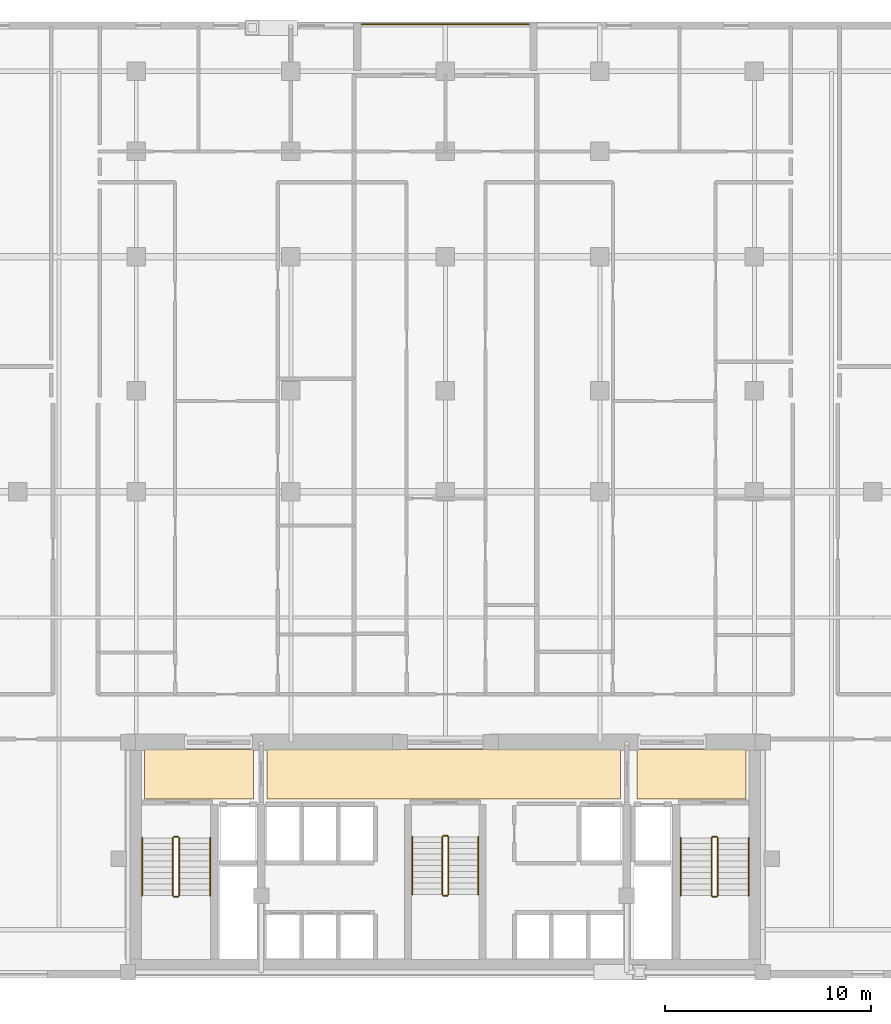
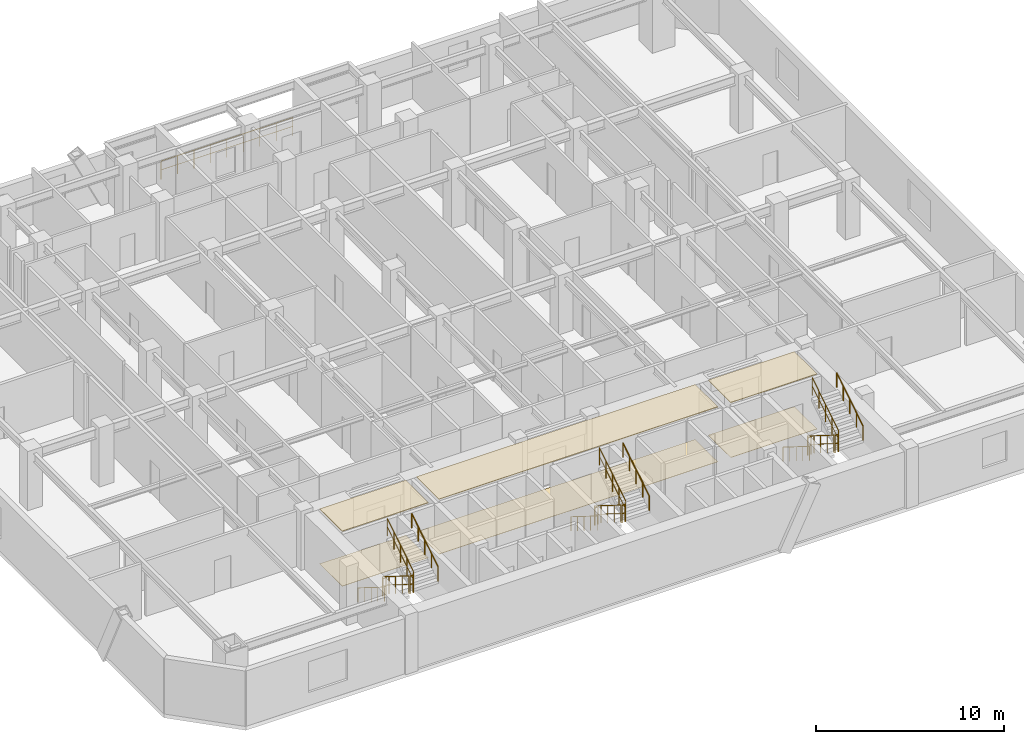
# One storey, part 9 of 9: 19 railings, 6 coverings.
"""IFC4 building model written with IfcOpenShell, lengths in metres."""

from ifc_helpers import new_model, si_unit, direction, frame, origin, origin_2d, place, context, subcontext, project, spatial, polyline, circle, outline, extrude, material, layer, layer_set, type_object, element, save


model = new_model("IFC4")

# Units and contexts
model_context = context("Model", 3, precision=1e-05, world=origin(), true_north=direction((0.0, 1.0)))
body_context = subcontext(model_context, "Body", "Model", "MODEL_VIEW")
ifc_project = project(units=[si_unit("LENGTHUNIT", "METRE"), si_unit("AREAUNIT", "SQUARE_METRE"), si_unit("VOLUMEUNIT", "CUBIC_METRE"), si_unit("PLANEANGLEUNIT", "RADIAN"), si_unit("MASSUNIT", "GRAM", prefix="KILO")], contexts=[model_context])

# Site, building, storey
site_placement = place(None, origin())
site = spatial("IfcSite", under=ifc_project, at=site_placement, CompositionType="ELEMENT")
building_placement = place(site_placement, origin())
building = spatial("IfcBuilding", under=site, at=building_placement, Name="Ventersveld Concourse Tower", CompositionType="ELEMENT")
storey_placement = place(building_placement, frame((0.0, 0.0, 45.199951171875)))
storey = spatial("IfcBuildingStorey", under=building, at=storey_placement, Name="L10", CompositionType="ELEMENT", Elevation=45.199951171875)

# Coverings
ifc_material_1 = material(Name="Mineral-fibre acoustic ceiling tile", Category="gypsum")
ifc_layer_1 = layer(ifc_material_1, 0.0400390625)
ifc_layer_set_1 = layer_set([ifc_layer_1], Name="Mineral-fibre acoustic ceiling tile")
covering_type_1 = type_object("IfcCoveringType", Name="COV-CEIL-ACOUSTIC", PredefinedType="CEILING", material=ifc_layer_set_1)
covering_1_placement = place(storey_placement, frame((0.0, 0.0, 3.56005859375)))
element("IfcCovering", 1, at=covering_1_placement, inside=storey, type_object=covering_type_1, Name="L10 North Lift Lobby Acoustic Ceiling", PredefinedType="CEILING", context=body_context, shape_type="SweptSolid", body=[
    extrude(outline(polyline([(20.10009765625, 8.699951171875), (37.25, 8.699951171875), (37.25, 11.10009765625), (20.10009765625, 11.10009765625), (20.10009765625, 8.699951171875)])), origin(), (0.0, 0.0, 1.0), 0.0400390625),
])
covering_2_placement = place(storey_placement, frame((0.0, 0.0, 3.56005859375)))
element("IfcCovering", 2, at=covering_2_placement, inside=storey, type_object=covering_type_1, Name="L10 West Firefighting Lobby Acoustic Ceiling", PredefinedType="CEILING", context=body_context, shape_type="SweptSolid", body=[
    extrude(outline(polyline([(14.14990234375, 8.699951171875), (19.449951171875, 8.699951171875), (19.449951171875, 11.10009765625), (14.14990234375, 11.10009765625), (14.14990234375, 8.699951171875)])), origin(), (0.0, 0.0, 1.0), 0.0400390625),
])
covering_3_placement = place(storey_placement, frame((0.0, 0.0, 3.56005859375)))
element("IfcCovering", 3, at=covering_3_placement, inside=storey, type_object=covering_type_1, Name="L10 East Firefighting Lobby Acoustic Ceiling", PredefinedType="CEILING", context=body_context, shape_type="SweptSolid", body=[
    extrude(outline(polyline([(38.050048828125, 8.699951171875), (43.35009765625, 8.699951171875), (43.35009765625, 11.10009765625), (38.050048828125, 11.10009765625), (38.050048828125, 8.699951171875)])), origin(), (0.0, 0.0, 1.0), 0.0400390625),
])
ifc_material_2 = material(Name="Polished Highveld granite terrazzo", Category="masonry")
ifc_layer_2 = layer(ifc_material_2, 0.02001953125)
ifc_layer_set_2 = layer_set([ifc_layer_2], Name="Polished Highveld granite terrazzo")
covering_type_2 = type_object("IfcCoveringType", Name="COV-FLOOR-TERRAZZO", PredefinedType="FLOORING", material=ifc_layer_set_2)
covering_4_placement = place(storey_placement, origin())
element("IfcCovering", 4, at=covering_4_placement, inside=storey, type_object=covering_type_2, Name="L10 North Lift Lobby Terrazzo Flooring", PredefinedType="FLOORING", context=body_context, shape_type="SweptSolid", body=[
    extrude(outline(polyline([(20.10009765625, 8.699951171875), (37.25, 8.699951171875), (37.25, 11.10009765625), (20.10009765625, 11.10009765625), (20.10009765625, 8.699951171875)])), origin(), (0.0, 0.0, 1.0), 0.02001953125),
])
covering_5_placement = place(storey_placement, origin())
element("IfcCovering", 5, at=covering_5_placement, inside=storey, type_object=covering_type_2, Name="L10 West Firefighting Lobby Terrazzo Flooring", PredefinedType="FLOORING", context=body_context, shape_type="SweptSolid", body=[
    extrude(outline(polyline([(14.14990234375, 8.699951171875), (19.449951171875, 8.699951171875), (19.449951171875, 11.10009765625), (14.14990234375, 11.10009765625), (14.14990234375, 8.699951171875)])), origin(), (0.0, 0.0, 1.0), 0.02001953125),
])
covering_6_placement = place(storey_placement, origin())
element("IfcCovering", 6, at=covering_6_placement, inside=storey, type_object=covering_type_2, Name="L10 East Firefighting Lobby Terrazzo Flooring", PredefinedType="FLOORING", context=body_context, shape_type="SweptSolid", body=[
    extrude(outline(polyline([(38.050048828125, 8.699951171875), (43.35009765625, 8.699951171875), (43.35009765625, 11.10009765625), (38.050048828125, 11.10009765625), (38.050048828125, 8.699951171875)])), origin(), (0.0, 0.0, 1.0), 0.02001953125),
])

# Railings
ifc_material_3 = material(Name="Brushed stainless steel 316", Category="steel")
railing_type_1 = type_object("IfcRailingType", Name="GD-BAL-115", PredefinedType="GUARDRAIL", material=ifc_material_3)
railing_1_placement = place(storey_placement, frame((15.530029296875, 6.800048828125, 0.175048828125)))
element("IfcRailing", 7, at=railing_1_placement, inside=storey, type_object=railing_type_1, Name="L10 ST-01 stair guard 1", PredefinedType="GUARDRAIL", context=body_context, shape_type="SweptSolid", body=[
    extrude(circle(Radius=0.02392578125, at=origin_2d()), frame((0.0, 0.0, 1.1259765625), z_axis=(0.0, -0.848002457836, 0.529992293815), x_axis=(1.0, 0.0, 0.0)), (0.0, 0.0, 1.0), 3.302001953125),
    extrude(circle(Radius=0.01611328125, at=origin_2d()), frame((0.0, 0.0, 0.574951171875), z_axis=(0.0, -0.848002457836, 0.529992293815), x_axis=(1.0, 0.0, 0.0)), (0.0, 0.0, 1.0), 3.302001953125),
    extrude(circle(Radius=0.02099609375, at=origin_2d()), origin(), (0.0, 0.0, 1.0), 1.101806640625),
    extrude(circle(Radius=0.02099609375, at=origin_2d()), frame((0.0, -0.699951171875, 0.4375)), (0.0, 0.0, 1.0), 1.101806640625),
    extrude(circle(Radius=0.02099609375, at=origin_2d()), frame((0.0, -1.39990234375, 0.875)), (0.0, 0.0, 1.0), 1.101806640625),
    extrude(circle(Radius=0.02099609375, at=origin_2d()), frame((0.0, -2.10009765625, 1.3125)), (0.0, 0.0, 1.0), 1.101806640625),
    extrude(circle(Radius=0.02099609375, at=origin_2d()), frame((0.0, -2.800048828125, 1.75)), (0.0, 0.0, 1.0), 1.101806640625),
])
railing_2_placement = place(storey_placement, frame((15.580078125, 3.949951171875, 1.925048828125)))
element("IfcRailing", 8, at=railing_2_placement, inside=storey, type_object=railing_type_1, Name="L10 ST-01 stair guard 2", PredefinedType="GUARDRAIL", context=body_context, shape_type="SweptSolid", body=[
    extrude(circle(Radius=0.02392578125, at=origin_2d()), frame((0.0, 0.0, 1.1259765625), z_axis=(1.0, 0.0, 0.0), x_axis=(0.0, 1.0, 0.0)), (0.0, 0.0, 1.0), 0.199951171875),
    extrude(circle(Radius=0.01611328125, at=origin_2d()), frame((0.0, 0.0, 0.574951171875), z_axis=(1.0, 0.0, 0.0), x_axis=(0.0, 1.0, 0.0)), (0.0, 0.0, 1.0), 0.199951171875),
    extrude(circle(Radius=0.02099609375, at=origin_2d()), origin(), (0.0, 0.0, 1.0), 1.101806640625),
    extrude(circle(Radius=0.02099609375, at=origin_2d()), frame((0.199951171875, 0.0, 0.0)), (0.0, 0.0, 1.0), 1.101806640625),
])
railing_3_placement = place(storey_placement, frame((15.830078125, 4.0, 2.10009765625)))
element("IfcRailing", 9, at=railing_3_placement, inside=storey, type_object=railing_type_1, Name="L10 ST-01 stair guard 3", PredefinedType="GUARDRAIL", context=body_context, shape_type="SweptSolid", body=[
    extrude(circle(Radius=0.02392578125, at=origin_2d()), frame((0.0, 0.0, 1.1259765625), z_axis=(0.0, 0.848002457836, 0.529992293815), x_axis=(-1.0, 0.0, 0.0)), (0.0, 0.0, 1.0), 3.302001953125),
    extrude(circle(Radius=0.01611328125, at=origin_2d()), frame((0.0, 0.0, 0.574951171875), z_axis=(0.0, 0.848002457836, 0.529992293815), x_axis=(-1.0, 0.0, 0.0)), (0.0, 0.0, 1.0), 3.302001953125),
    extrude(circle(Radius=0.02099609375, at=origin_2d()), origin(), (0.0, 0.0, 1.0), 1.101806640625),
    extrude(circle(Radius=0.02099609375, at=origin_2d()), frame((0.0, 0.699951171875, 0.4375)), (0.0, 0.0, 1.0), 1.101806640625),
    extrude(circle(Radius=0.02099609375, at=origin_2d()), frame((0.0, 1.39990234375, 0.875)), (0.0, 0.0, 1.0), 1.101806640625),
    extrude(circle(Radius=0.02099609375, at=origin_2d()), frame((0.0, 2.10009765625, 1.3125)), (0.0, 0.0, 1.0), 1.101806640625),
    extrude(circle(Radius=0.02099609375, at=origin_2d()), frame((0.0, 2.800048828125, 1.75)), (0.0, 0.0, 1.0), 1.101806640625),
])
railing_4_placement = place(storey_placement, frame((15.580078125, 6.85009765625, 0.0)))
element("IfcRailing", 10, at=railing_4_placement, inside=storey, type_object=railing_type_1, Name="L10 ST-01 stair guard 4", PredefinedType="GUARDRAIL", context=body_context, shape_type="SweptSolid", body=[
    extrude(circle(Radius=0.02392578125, at=origin_2d()), frame((0.0, 0.0, 1.1259765625), z_axis=(1.0, 0.0, 0.0), x_axis=(0.0, 1.0, 0.0)), (0.0, 0.0, 1.0), 0.199951171875),
    extrude(circle(Radius=0.01611328125, at=origin_2d()), frame((0.0, 0.0, 0.574951171875), z_axis=(1.0, 0.0, 0.0), x_axis=(0.0, 1.0, 0.0)), (0.0, 0.0, 1.0), 0.199951171875),
    extrude(circle(Radius=0.02099609375, at=origin_2d()), origin(), (0.0, 0.0, 1.0), 1.101806640625),
    extrude(circle(Radius=0.02099609375, at=origin_2d()), frame((0.199951171875, 0.0, 0.0)), (0.0, 0.0, 1.0), 1.101806640625),
])
railing_5_placement = place(storey_placement, frame((41.669921875, 6.800048828125, 0.175048828125)))
element("IfcRailing", 11, at=railing_5_placement, inside=storey, type_object=railing_type_1, Name="L10 ST-02 stair guard 1", PredefinedType="GUARDRAIL", context=body_context, shape_type="SweptSolid", body=[
    extrude(circle(Radius=0.02392578125, at=origin_2d()), frame((0.0, 0.0, 1.1259765625), z_axis=(0.0, -0.848002457836, 0.529992293815), x_axis=(1.0, 0.0, 0.0)), (0.0, 0.0, 1.0), 3.302001953125),
    extrude(circle(Radius=0.01611328125, at=origin_2d()), frame((0.0, 0.0, 0.574951171875), z_axis=(0.0, -0.848002457836, 0.529992293815), x_axis=(1.0, 0.0, 0.0)), (0.0, 0.0, 1.0), 3.302001953125),
    extrude(circle(Radius=0.02099609375, at=origin_2d()), origin(), (0.0, 0.0, 1.0), 1.101806640625),
    extrude(circle(Radius=0.02099609375, at=origin_2d()), frame((0.0, -0.699951171875, 0.4375)), (0.0, 0.0, 1.0), 1.101806640625),
    extrude(circle(Radius=0.02099609375, at=origin_2d()), frame((0.0, -1.39990234375, 0.875)), (0.0, 0.0, 1.0), 1.101806640625),
    extrude(circle(Radius=0.02099609375, at=origin_2d()), frame((0.0, -2.10009765625, 1.3125)), (0.0, 0.0, 1.0), 1.101806640625),
    extrude(circle(Radius=0.02099609375, at=origin_2d()), frame((0.0, -2.800048828125, 1.75)), (0.0, 0.0, 1.0), 1.101806640625),
])
railing_6_placement = place(storey_placement, frame((41.719970703125, 3.949951171875, 1.925048828125)))
element("IfcRailing", 12, at=railing_6_placement, inside=storey, type_object=railing_type_1, Name="L10 ST-02 stair guard 2", PredefinedType="GUARDRAIL", context=body_context, shape_type="SweptSolid", body=[
    extrude(circle(Radius=0.02392578125, at=origin_2d()), frame((0.0, 0.0, 1.1259765625), z_axis=(1.0, 0.0, 0.0), x_axis=(0.0, 1.0, 0.0)), (0.0, 0.0, 1.0), 0.199951171875),
    extrude(circle(Radius=0.01611328125, at=origin_2d()), frame((0.0, 0.0, 0.574951171875), z_axis=(1.0, 0.0, 0.0), x_axis=(0.0, 1.0, 0.0)), (0.0, 0.0, 1.0), 0.199951171875),
    extrude(circle(Radius=0.02099609375, at=origin_2d()), origin(), (0.0, 0.0, 1.0), 1.101806640625),
    extrude(circle(Radius=0.02099609375, at=origin_2d()), frame((0.199951171875, 0.0, 0.0)), (0.0, 0.0, 1.0), 1.101806640625),
])
railing_7_placement = place(storey_placement, frame((41.969970703125, 4.0, 2.10009765625)))
element("IfcRailing", 13, at=railing_7_placement, inside=storey, type_object=railing_type_1, Name="L10 ST-02 stair guard 3", PredefinedType="GUARDRAIL", context=body_context, shape_type="SweptSolid", body=[
    extrude(circle(Radius=0.02392578125, at=origin_2d()), frame((0.0, 0.0, 1.1259765625), z_axis=(0.0, 0.848002457836, 0.529992293815), x_axis=(-1.0, 0.0, 0.0)), (0.0, 0.0, 1.0), 3.302001953125),
    extrude(circle(Radius=0.01611328125, at=origin_2d()), frame((0.0, 0.0, 0.574951171875), z_axis=(0.0, 0.848002457836, 0.529992293815), x_axis=(-1.0, 0.0, 0.0)), (0.0, 0.0, 1.0), 3.302001953125),
    extrude(circle(Radius=0.02099609375, at=origin_2d()), origin(), (0.0, 0.0, 1.0), 1.101806640625),
    extrude(circle(Radius=0.02099609375, at=origin_2d()), frame((0.0, 0.699951171875, 0.4375)), (0.0, 0.0, 1.0), 1.101806640625),
    extrude(circle(Radius=0.02099609375, at=origin_2d()), frame((0.0, 1.39990234375, 0.875)), (0.0, 0.0, 1.0), 1.101806640625),
    extrude(circle(Radius=0.02099609375, at=origin_2d()), frame((0.0, 2.10009765625, 1.3125)), (0.0, 0.0, 1.0), 1.101806640625),
    extrude(circle(Radius=0.02099609375, at=origin_2d()), frame((0.0, 2.800048828125, 1.75)), (0.0, 0.0, 1.0), 1.101806640625),
])
railing_8_placement = place(storey_placement, frame((41.719970703125, 6.85009765625, 0.0)))
element("IfcRailing", 14, at=railing_8_placement, inside=storey, type_object=railing_type_1, Name="L10 ST-02 stair guard 4", PredefinedType="GUARDRAIL", context=body_context, shape_type="SweptSolid", body=[
    extrude(circle(Radius=0.02392578125, at=origin_2d()), frame((0.0, 0.0, 1.1259765625), z_axis=(1.0, 0.0, 0.0), x_axis=(0.0, 1.0, 0.0)), (0.0, 0.0, 1.0), 0.199951171875),
    extrude(circle(Radius=0.01611328125, at=origin_2d()), frame((0.0, 0.0, 0.574951171875), z_axis=(1.0, 0.0, 0.0), x_axis=(0.0, 1.0, 0.0)), (0.0, 0.0, 1.0), 0.199951171875),
    extrude(circle(Radius=0.02099609375, at=origin_2d()), origin(), (0.0, 0.0, 1.0), 1.101806640625),
    extrude(circle(Radius=0.02099609375, at=origin_2d()), frame((0.199951171875, 0.0, 0.0)), (0.0, 0.0, 1.0), 1.101806640625),
])
railing_9_placement = place(storey_placement, frame((28.60009765625, 6.85009765625, 0.175048828125)))
element("IfcRailing", 15, at=railing_9_placement, inside=storey, type_object=railing_type_1, Name="L10 ST-03 stair guard 1", PredefinedType="GUARDRAIL", context=body_context, shape_type="SweptSolid", body=[
    extrude(circle(Radius=0.02392578125, at=origin_2d()), frame((0.0, 0.0, 1.1259765625), z_axis=(0.0, -0.848002457836, 0.529992293815), x_axis=(1.0, 0.0, 0.0)), (0.0, 0.0, 1.0), 3.302001953125),
    extrude(circle(Radius=0.01611328125, at=origin_2d()), frame((0.0, 0.0, 0.574951171875), z_axis=(0.0, -0.848002457836, 0.529992293815), x_axis=(1.0, 0.0, 0.0)), (0.0, 0.0, 1.0), 3.302001953125),
    extrude(circle(Radius=0.02099609375, at=origin_2d()), origin(), (0.0, 0.0, 1.0), 1.101806640625),
    extrude(circle(Radius=0.02099609375, at=origin_2d()), frame((0.0, -0.699951171875, 0.4375)), (0.0, 0.0, 1.0), 1.101806640625),
    extrude(circle(Radius=0.02099609375, at=origin_2d()), frame((0.0, -1.39990234375, 0.875)), (0.0, 0.0, 1.0), 1.101806640625),
    extrude(circle(Radius=0.02099609375, at=origin_2d()), frame((0.0, -2.10009765625, 1.3125)), (0.0, 0.0, 1.0), 1.101806640625),
    extrude(circle(Radius=0.02099609375, at=origin_2d()), frame((0.0, -2.800048828125, 1.75)), (0.0, 0.0, 1.0), 1.101806640625),
])
railing_10_placement = place(storey_placement, frame((28.64990234375, 4.0, 1.925048828125)))
element("IfcRailing", 16, at=railing_10_placement, inside=storey, type_object=railing_type_1, Name="L10 ST-03 stair guard 2", PredefinedType="GUARDRAIL", context=body_context, shape_type="SweptSolid", body=[
    extrude(circle(Radius=0.02392578125, at=origin_2d()), frame((0.0, 0.0, 1.1259765625), z_axis=(1.0, 0.0, 0.0), x_axis=(0.0, 1.0, 0.0)), (0.0, 0.0, 1.0), 0.2001953125),
    extrude(circle(Radius=0.01611328125, at=origin_2d()), frame((0.0, 0.0, 0.574951171875), z_axis=(1.0, 0.0, 0.0), x_axis=(0.0, 1.0, 0.0)), (0.0, 0.0, 1.0), 0.2001953125),
    extrude(circle(Radius=0.02099609375, at=origin_2d()), origin(), (0.0, 0.0, 1.0), 1.101806640625),
    extrude(circle(Radius=0.02099609375, at=origin_2d()), frame((0.2001953125, 0.0, 0.0)), (0.0, 0.0, 1.0), 1.101806640625),
])
railing_11_placement = place(storey_placement, frame((28.89990234375, 4.050048828125, 2.10009765625)))
element("IfcRailing", 17, at=railing_11_placement, inside=storey, type_object=railing_type_1, Name="L10 ST-03 stair guard 3", PredefinedType="GUARDRAIL", context=body_context, shape_type="SweptSolid", body=[
    extrude(circle(Radius=0.02392578125, at=origin_2d()), frame((0.0, 0.0, 1.1259765625), z_axis=(0.0, 0.848002457836, 0.529992293815), x_axis=(-1.0, 0.0, 0.0)), (0.0, 0.0, 1.0), 3.302001953125),
    extrude(circle(Radius=0.01611328125, at=origin_2d()), frame((0.0, 0.0, 0.574951171875), z_axis=(0.0, 0.848002457836, 0.529992293815), x_axis=(-1.0, 0.0, 0.0)), (0.0, 0.0, 1.0), 3.302001953125),
    extrude(circle(Radius=0.02099609375, at=origin_2d()), origin(), (0.0, 0.0, 1.0), 1.101806640625),
    extrude(circle(Radius=0.02099609375, at=origin_2d()), frame((0.0, 0.699951171875, 0.4375)), (0.0, 0.0, 1.0), 1.101806640625),
    extrude(circle(Radius=0.02099609375, at=origin_2d()), frame((0.0, 1.39990234375, 0.875)), (0.0, 0.0, 1.0), 1.101806640625),
    extrude(circle(Radius=0.02099609375, at=origin_2d()), frame((0.0, 2.10009765625, 1.3125)), (0.0, 0.0, 1.0), 1.101806640625),
    extrude(circle(Radius=0.02099609375, at=origin_2d()), frame((0.0, 2.800048828125, 1.75)), (0.0, 0.0, 1.0), 1.101806640625),
])
railing_12_placement = place(storey_placement, frame((28.64990234375, 6.89990234375, 0.0)))
element("IfcRailing", 18, at=railing_12_placement, inside=storey, type_object=railing_type_1, Name="L10 ST-03 stair guard 4", PredefinedType="GUARDRAIL", context=body_context, shape_type="SweptSolid", body=[
    extrude(circle(Radius=0.02392578125, at=origin_2d()), frame((0.0, 0.0, 1.1259765625), z_axis=(1.0, 0.0, 0.0), x_axis=(0.0, 1.0, 0.0)), (0.0, 0.0, 1.0), 0.2001953125),
    extrude(circle(Radius=0.01611328125, at=origin_2d()), frame((0.0, 0.0, 0.574951171875), z_axis=(1.0, 0.0, 0.0), x_axis=(0.0, 1.0, 0.0)), (0.0, 0.0, 1.0), 0.2001953125),
    extrude(circle(Radius=0.02099609375, at=origin_2d()), origin(), (0.0, 0.0, 1.0), 1.101806640625),
    extrude(circle(Radius=0.02099609375, at=origin_2d()), frame((0.2001953125, 0.0, 0.0)), (0.0, 0.0, 1.0), 1.101806640625),
])
railing_type_2 = type_object("IfcRailingType", Name="GD-TER-120", PredefinedType="GUARDRAIL", material=ifc_material_3)
railing_13_placement = place(storey_placement, frame((24.699951171875, 46.280029296875, 0.0)))
element("IfcRailing", 19, at=railing_13_placement, inside=storey, type_object=railing_type_2, Name="L10 Outdoor Terrace Guardrail NOTCH-N", PredefinedType="GUARDRAIL", context=body_context, shape_type="SweptSolid", body=[
    extrude(circle(Radius=0.02392578125, at=origin_2d()), frame((0.0, 0.0, 1.17578125), z_axis=(1.0, 0.0, 0.0), x_axis=(0.0, 1.0, 0.0)), (0.0, 0.0, 1.0), 8.10009765625),
    extrude(circle(Radius=0.01611328125, at=origin_2d()), frame((0.0, 0.0, 0.60009765625), z_axis=(1.0, 0.0, 0.0), x_axis=(0.0, 1.0, 0.0)), (0.0, 0.0, 1.0), 8.10009765625),
    extrude(circle(Radius=0.02099609375, at=origin_2d()), origin(), (0.0, 0.0, 1.0), 1.15185546875),
    extrude(circle(Radius=0.02099609375, at=origin_2d()), frame((1.012451171875, 0.0, 0.0)), (0.0, 0.0, 1.0), 1.15185546875),
    extrude(circle(Radius=0.02099609375, at=origin_2d()), frame((2.02490234375, 0.0, 0.0)), (0.0, 0.0, 1.0), 1.15185546875),
    extrude(circle(Radius=0.02099609375, at=origin_2d()), frame((3.03759765625, 0.0, 0.0)), (0.0, 0.0, 1.0), 1.15185546875),
    extrude(circle(Radius=0.02099609375, at=origin_2d()), frame((4.050048828125, 0.0, 0.0)), (0.0, 0.0, 1.0), 1.15185546875),
    extrude(circle(Radius=0.02099609375, at=origin_2d()), frame((5.0625, 0.0, 0.0)), (0.0, 0.0, 1.0), 1.15185546875),
    extrude(circle(Radius=0.02099609375, at=origin_2d()), frame((6.0751953125, 0.0, 0.0)), (0.0, 0.0, 1.0), 1.15185546875),
    extrude(circle(Radius=0.02099609375, at=origin_2d()), frame((7.087646484375, 0.0, 0.0)), (0.0, 0.0, 1.0), 1.15185546875),
    extrude(circle(Radius=0.02099609375, at=origin_2d()), frame((8.10009765625, 0.0, 0.0)), (0.0, 0.0, 1.0), 1.15185546875),
])
railing_type_3 = type_object("IfcRailingType", Name="HR-RMP-095", PredefinedType="HANDRAIL", material=ifc_material_3)
railing_14_placement = place(storey_placement, frame((14.030029296875, 6.800048828125, 0.175048828125)))
element("IfcRailing", 20, at=railing_14_placement, inside=storey, type_object=railing_type_3, Name="L10 ST-01 stair handrail 1", PredefinedType="HANDRAIL", context=body_context, shape_type="SweptSolid", body=[
    extrude(circle(Radius=0.02392578125, at=origin_2d()), frame((0.0, 0.0, 0.92578125), z_axis=(0.0, -0.848002457836, 0.529992293815), x_axis=(1.0, 0.0, 0.0)), (0.0, 0.0, 1.0), 3.302001953125),
    extrude(circle(Radius=0.02099609375, at=origin_2d()), origin(), (0.0, 0.0, 1.0), 0.90185546875),
    extrude(circle(Radius=0.02099609375, at=origin_2d()), frame((0.0, -0.699951171875, 0.4375)), (0.0, 0.0, 1.0), 0.90185546875),
    extrude(circle(Radius=0.02099609375, at=origin_2d()), frame((0.0, -1.39990234375, 0.875)), (0.0, 0.0, 1.0), 0.90185546875),
    extrude(circle(Radius=0.02099609375, at=origin_2d()), frame((0.0, -2.10009765625, 1.3125)), (0.0, 0.0, 1.0), 0.90185546875),
    extrude(circle(Radius=0.02099609375, at=origin_2d()), frame((0.0, -2.800048828125, 1.75)), (0.0, 0.0, 1.0), 0.90185546875),
])
railing_15_placement = place(storey_placement, frame((17.330078125, 4.0, 2.10009765625)))
element("IfcRailing", 21, at=railing_15_placement, inside=storey, type_object=railing_type_3, Name="L10 ST-01 stair handrail 2", PredefinedType="HANDRAIL", context=body_context, shape_type="SweptSolid", body=[
    extrude(circle(Radius=0.02392578125, at=origin_2d()), frame((0.0, 0.0, 0.92578125), z_axis=(0.0, 0.848002457836, 0.529992293815), x_axis=(-1.0, 0.0, 0.0)), (0.0, 0.0, 1.0), 3.302001953125),
    extrude(circle(Radius=0.02099609375, at=origin_2d()), origin(), (0.0, 0.0, 1.0), 0.90185546875),
    extrude(circle(Radius=0.02099609375, at=origin_2d()), frame((0.0, 0.699951171875, 0.4375)), (0.0, 0.0, 1.0), 0.90185546875),
    extrude(circle(Radius=0.02099609375, at=origin_2d()), frame((0.0, 1.39990234375, 0.875)), (0.0, 0.0, 1.0), 0.90185546875),
    extrude(circle(Radius=0.02099609375, at=origin_2d()), frame((0.0, 2.10009765625, 1.3125)), (0.0, 0.0, 1.0), 0.90185546875),
    extrude(circle(Radius=0.02099609375, at=origin_2d()), frame((0.0, 2.800048828125, 1.75)), (0.0, 0.0, 1.0), 0.90185546875),
])
railing_16_placement = place(storey_placement, frame((40.169921875, 6.800048828125, 0.175048828125)))
element("IfcRailing", 22, at=railing_16_placement, inside=storey, type_object=railing_type_3, Name="L10 ST-02 stair handrail 1", PredefinedType="HANDRAIL", context=body_context, shape_type="SweptSolid", body=[
    extrude(circle(Radius=0.02392578125, at=origin_2d()), frame((0.0, 0.0, 0.92578125), z_axis=(0.0, -0.848002457836, 0.529992293815), x_axis=(1.0, 0.0, 0.0)), (0.0, 0.0, 1.0), 3.302001953125),
    extrude(circle(Radius=0.02099609375, at=origin_2d()), origin(), (0.0, 0.0, 1.0), 0.90185546875),
    extrude(circle(Radius=0.02099609375, at=origin_2d()), frame((0.0, -0.699951171875, 0.4375)), (0.0, 0.0, 1.0), 0.90185546875),
    extrude(circle(Radius=0.02099609375, at=origin_2d()), frame((0.0, -1.39990234375, 0.875)), (0.0, 0.0, 1.0), 0.90185546875),
    extrude(circle(Radius=0.02099609375, at=origin_2d()), frame((0.0, -2.10009765625, 1.3125)), (0.0, 0.0, 1.0), 0.90185546875),
    extrude(circle(Radius=0.02099609375, at=origin_2d()), frame((0.0, -2.800048828125, 1.75)), (0.0, 0.0, 1.0), 0.90185546875),
])
railing_17_placement = place(storey_placement, frame((43.469970703125, 4.0, 2.10009765625)))
element("IfcRailing", 23, at=railing_17_placement, inside=storey, type_object=railing_type_3, Name="L10 ST-02 stair handrail 2", PredefinedType="HANDRAIL", context=body_context, shape_type="SweptSolid", body=[
    extrude(circle(Radius=0.02392578125, at=origin_2d()), frame((0.0, 0.0, 0.92578125), z_axis=(0.0, 0.848002457836, 0.529992293815), x_axis=(-1.0, 0.0, 0.0)), (0.0, 0.0, 1.0), 3.302001953125),
    extrude(circle(Radius=0.02099609375, at=origin_2d()), origin(), (0.0, 0.0, 1.0), 0.90185546875),
    extrude(circle(Radius=0.02099609375, at=origin_2d()), frame((0.0, 0.699951171875, 0.4375)), (0.0, 0.0, 1.0), 0.90185546875),
    extrude(circle(Radius=0.02099609375, at=origin_2d()), frame((0.0, 1.39990234375, 0.875)), (0.0, 0.0, 1.0), 0.90185546875),
    extrude(circle(Radius=0.02099609375, at=origin_2d()), frame((0.0, 2.10009765625, 1.3125)), (0.0, 0.0, 1.0), 0.90185546875),
    extrude(circle(Radius=0.02099609375, at=origin_2d()), frame((0.0, 2.800048828125, 1.75)), (0.0, 0.0, 1.0), 0.90185546875),
])
railing_18_placement = place(storey_placement, frame((27.14990234375, 6.85009765625, 0.175048828125)))
element("IfcRailing", 24, at=railing_18_placement, inside=storey, type_object=railing_type_3, Name="L10 ST-03 stair handrail 1", PredefinedType="HANDRAIL", context=body_context, shape_type="SweptSolid", body=[
    extrude(circle(Radius=0.02392578125, at=origin_2d()), frame((0.0, 0.0, 0.92578125), z_axis=(0.0, -0.848002457836, 0.529992293815), x_axis=(1.0, 0.0, 0.0)), (0.0, 0.0, 1.0), 3.302001953125),
    extrude(circle(Radius=0.02099609375, at=origin_2d()), origin(), (0.0, 0.0, 1.0), 0.90185546875),
    extrude(circle(Radius=0.02099609375, at=origin_2d()), frame((0.0, -0.699951171875, 0.4375)), (0.0, 0.0, 1.0), 0.90185546875),
    extrude(circle(Radius=0.02099609375, at=origin_2d()), frame((0.0, -1.39990234375, 0.875)), (0.0, 0.0, 1.0), 0.90185546875),
    extrude(circle(Radius=0.02099609375, at=origin_2d()), frame((0.0, -2.10009765625, 1.3125)), (0.0, 0.0, 1.0), 0.90185546875),
    extrude(circle(Radius=0.02099609375, at=origin_2d()), frame((0.0, -2.800048828125, 1.75)), (0.0, 0.0, 1.0), 0.90185546875),
])
railing_19_placement = place(storey_placement, frame((30.35009765625, 4.050048828125, 2.10009765625)))
element("IfcRailing", 25, at=railing_19_placement, inside=storey, type_object=railing_type_3, Name="L10 ST-03 stair handrail 2", PredefinedType="HANDRAIL", context=body_context, shape_type="SweptSolid", body=[
    extrude(circle(Radius=0.02392578125, at=origin_2d()), frame((0.0, 0.0, 0.92578125), z_axis=(0.0, 0.848002457836, 0.529992293815), x_axis=(-1.0, 0.0, 0.0)), (0.0, 0.0, 1.0), 3.302001953125),
    extrude(circle(Radius=0.02099609375, at=origin_2d()), origin(), (0.0, 0.0, 1.0), 0.90185546875),
    extrude(circle(Radius=0.02099609375, at=origin_2d()), frame((0.0, 0.699951171875, 0.4375)), (0.0, 0.0, 1.0), 0.90185546875),
    extrude(circle(Radius=0.02099609375, at=origin_2d()), frame((0.0, 1.39990234375, 0.875)), (0.0, 0.0, 1.0), 0.90185546875),
    extrude(circle(Radius=0.02099609375, at=origin_2d()), frame((0.0, 2.10009765625, 1.3125)), (0.0, 0.0, 1.0), 0.90185546875),
    extrude(circle(Radius=0.02099609375, at=origin_2d()), frame((0.0, 2.800048828125, 1.75)), (0.0, 0.0, 1.0), 0.90185546875),
])

save(model, "model.ifc")
